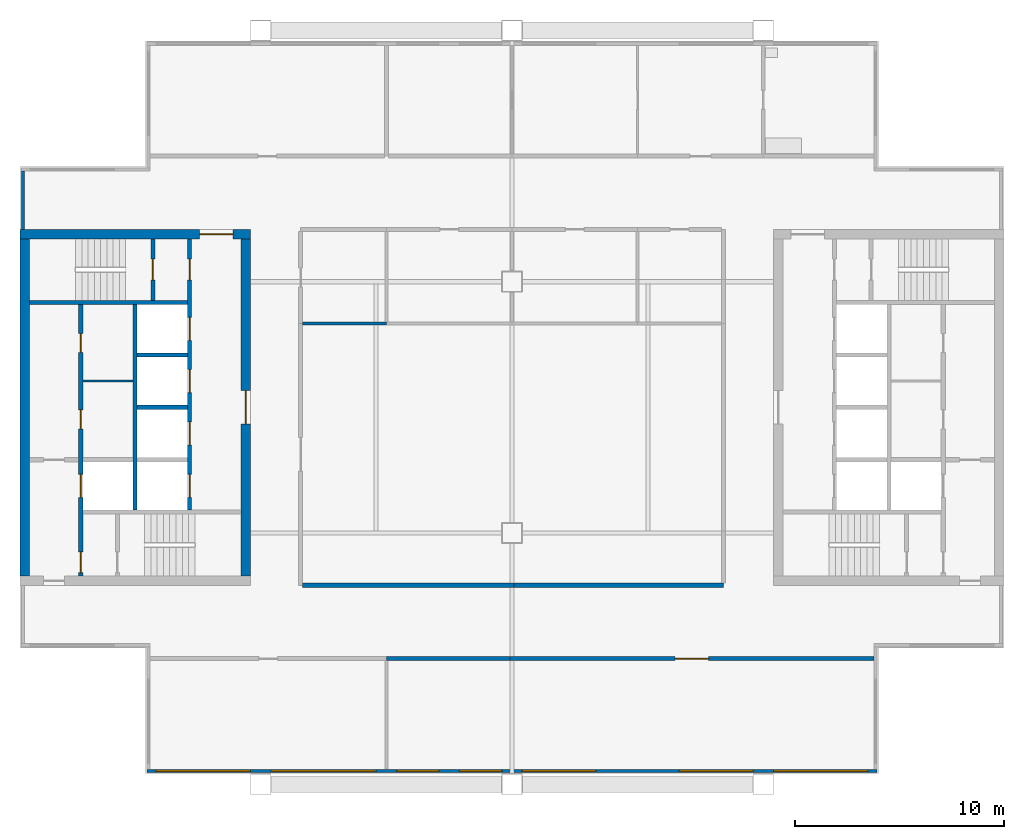
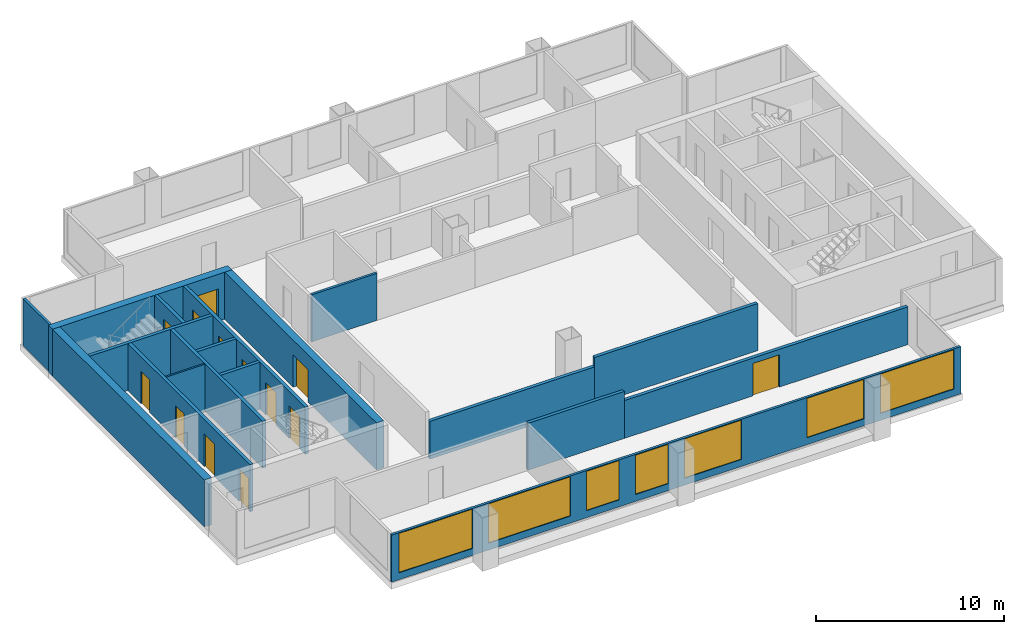
# One storey, part 2 of 7: 18 walls, 13 doors, 7 windows, 20 openings.
"""IFC4 building model written with IfcOpenShell, lengths in metres."""

from ifc_helpers import new_model, si_unit, direction, frame, frame_2d, origin, place, context, subcontext, project, spatial, rectangle, extrude, material, layer, layer_set, type_object, element, fill, save


model = new_model("IFC4")

# Units and contexts
model_context = context("Model", 3, precision=1e-05, world=origin(), true_north=direction((0.0, 1.0)))
body_context = subcontext(model_context, "Body", "Model", "MODEL_VIEW")
ifc_project = project(units=[si_unit("LENGTHUNIT", "METRE"), si_unit("AREAUNIT", "SQUARE_METRE"), si_unit("VOLUMEUNIT", "CUBIC_METRE"), si_unit("PLANEANGLEUNIT", "RADIAN"), si_unit("MASSUNIT", "GRAM", prefix="KILO")], contexts=[model_context])

# Site, building, storey
site_placement = place(None, origin())
site = spatial("IfcSite", under=ifc_project, at=site_placement, CompositionType="ELEMENT")
building_placement = place(site_placement, origin())
building = spatial("IfcBuilding", under=site, at=building_placement, Name="Kitamizu Gate Tower and Museum", CompositionType="ELEMENT")
storey_placement = place(building_placement, frame((0.0, 0.0, 245.550048828125)))
storey = spatial("IfcBuildingStorey", under=building, at=storey_placement, Name="L66", CompositionType="ELEMENT", Elevation=245.550048828125)

# Wall, opening, door
ifc_material_1 = material(Name="Concrete Fc42", Category="concrete")
ifc_layer_1 = layer(ifc_material_1, 0.449951171875)
ifc_layer_set_1 = layer_set([ifc_layer_1], Name="Concrete Fc42")
wall_type_1 = type_object("IfcWallType", Name="Core wall 450", PredefinedType="SHEAR", material=ifc_layer_set_1)
wall_1_placement = place(storey_placement, frame((12.5, 38.27490234375, 0.0), z_axis=(0.0, 0.0, 1.0), x_axis=(1.0, 0.0, 0.0)))
wall_1 = element("IfcWall", 1, at=wall_1_placement, inside=storey, type_object=wall_type_1, Name="Core wall WN", PredefinedType="SHEAR", context=body_context, shape_type="SweptSolid", body=[
    extrude(rectangle(XDim=11.0, YDim=0.449951171875, at=frame_2d((5.5, 0.0))), origin(), (0.0, 0.0, 1.0), 3.050048828125),
])
opening_1_placement = place(wall_1_placement, frame((8.574951171875, 0.0, 0.0)))
opening_1 = element("IfcOpeningElement", 2, at=opening_1_placement, cuts=wall_1, Name="Opening L66-019", PredefinedType="OPENING", context=body_context, shape_type="SweptSolid", body=[
    extrude(rectangle(XDim=1.60009765625, YDim=2.10009765625, at=frame_2d((0.800048828125, 1.050048828125))), frame((0.0, 0.23486328125, 0.0), z_axis=(0.0, -1.0, 0.0), x_axis=(1.0, 0.0, 0.0)), (0.0, 0.0, 1.0), 0.469970703125),
])
ifc_material_2 = material(Name="Timber door set", Category="wood")
door_type_1 = type_object("IfcDoorType", Name="Entrance door 1600", OperationType="DOUBLE_DOOR_SINGLE_SWING", PredefinedType="DOOR", material=ifc_material_2)
door_1_placement = place(opening_1_placement, origin())
door_1 = element("IfcDoor", 3, at=door_1_placement, inside=storey, type_object=door_type_1, Name="Lobby door L66-019", OperationType="DOUBLE_DOOR_SINGLE_SWING", OverallHeight=2.10009765625, OverallWidth=1.60009765625, PredefinedType="DOOR", context=body_context, shape_type="SweptSolid", body=[
    extrude(rectangle(XDim=1.60009765625, YDim=2.10009765625, at=frame_2d((0.800048828125, 1.050048828125))), frame((0.0, 0.02490234375, 0.0), z_axis=(0.0, -1.0, 0.0), x_axis=(1.0, 0.0, 0.0)), (0.0, 0.0, 1.0), 0.050048828125),
])
fill(opening_1, door_1)

# Wall
wall_2_placement = place(storey_placement, frame((12.72509765625, 21.949951171875, 0.0), z_axis=(0.0, 0.0, 1.0), x_axis=(0.0, 1.0, 0.0)))
element("IfcWall", 4, at=wall_2_placement, inside=storey, type_object=wall_type_1, Name="Core wall WOUT", PredefinedType="SHEAR", context=body_context, shape_type="SweptSolid", body=[
    extrude(rectangle(XDim=16.10009765625, YDim=0.449951171875, at=frame_2d((8.050048828125, 0.0))), origin(), (0.0, 0.0, 1.0), 3.050048828125),
])

# Wall, opening, door
wall_3_placement = place(storey_placement, frame((23.27490234375, 21.949951171875, 0.0), z_axis=(0.0, 0.0, 1.0), x_axis=(0.0, 1.0, 0.0)))
wall_3 = element("IfcWall", 5, at=wall_3_placement, inside=storey, type_object=wall_type_1, Name="Core wall WARC", PredefinedType="SHEAR", context=body_context, shape_type="SweptSolid", body=[
    extrude(rectangle(XDim=16.10009765625, YDim=0.449951171875, at=frame_2d((8.050048828125, 0.0))), origin(), (0.0, 0.0, 1.0), 3.050048828125),
])
opening_2_placement = place(wall_3_placement, frame((7.25, 0.0, 0.0)))
opening_2 = element("IfcOpeningElement", 6, at=opening_2_placement, cuts=wall_3, Name="Opening L66-020", PredefinedType="OPENING", context=body_context, shape_type="SweptSolid", body=[
    extrude(rectangle(XDim=1.60009765625, YDim=2.10009765625, at=frame_2d((0.800048828125, 1.050048828125))), frame((0.0, 0.23486328125, 0.0), z_axis=(0.0, -1.0, 0.0), x_axis=(1.0, 0.0, 0.0)), (0.0, 0.0, 1.0), 0.469970703125),
])
door_2_placement = place(opening_2_placement, origin())
door_2 = element("IfcDoor", 7, at=door_2_placement, inside=storey, type_object=door_type_1, Name="Lobby door L66-020", OperationType="DOUBLE_DOOR_SINGLE_SWING", OverallHeight=2.10009765625, OverallWidth=1.60009765625, PredefinedType="DOOR", context=body_context, shape_type="SweptSolid", body=[
    extrude(rectangle(XDim=1.60009765625, YDim=2.10009765625, at=frame_2d((0.800048828125, 1.050048828125))), frame((0.0, 0.02490234375, 0.0), z_axis=(0.0, -1.0, 0.0), x_axis=(1.0, 0.0, 0.0)), (0.0, 0.0, 1.0), 0.050048828125),
])
fill(opening_2, door_2)

# Walls
ifc_material_3 = material(Name="Gypsum board on galvanised stud")
ifc_layer_2 = layer(ifc_material_3, 0.10009765625)
ifc_layer_set_2 = layer_set([ifc_layer_2], Name="Gypsum board on galvanised stud")
wall_type_2 = type_object("IfcWallType", Name="Partition 100", PredefinedType="PARTITIONING", material=ifc_layer_set_2)
wall_4_placement = place(storey_placement, frame((15.5, 31.25, 0.0), z_axis=(0.0, 0.0, 1.0), x_axis=(1.0, 0.0, 0.0)))
element("IfcWall", 8, at=wall_4_placement, inside=storey, type_object=wall_type_2, Name="Partition WPF1", PredefinedType="PARTITIONING", context=body_context, shape_type="SweptSolid", body=[
    extrude(rectangle(XDim=2.39990234375, YDim=0.10009765625, at=frame_2d((1.199951171875, 0.0))), origin(), (0.0, 0.0, 1.0), 3.050048828125),
])
ifc_material_4 = material(Name="Gypsum board on galvanised stud")
ifc_layer_3 = layer(ifc_material_4, 0.14990234375)
ifc_layer_set_3 = layer_set([ifc_layer_3], Name="Gypsum board on galvanised stud")
wall_type_3 = type_object("IfcWallType", Name="Partition 150", PredefinedType="PARTITIONING", material=ifc_layer_set_3)
wall_5_placement = place(storey_placement, frame((30.0, 34.0, 0.0), z_axis=(0.0, 0.0, 1.0), x_axis=(-1.0, 0.0, 0.0)))
element("IfcWall", 9, at=wall_5_placement, inside=storey, type_object=wall_type_3, Name="Partition L66-026", PredefinedType="PARTITIONING", context=body_context, shape_type="SweptSolid", body=[
    extrude(rectangle(XDim=4.0, YDim=0.14990234375, at=frame_2d((2.0, 0.0))), origin(), (0.0, 0.0, 1.0), 3.050048828125),
])

# Wall, opening, door
ifc_material_5 = material(Name="Gypsum board on galvanised stud")
ifc_layer_4 = layer(ifc_material_5, 0.199951171875)
ifc_layer_set_4 = layer_set([ifc_layer_4], Name="Gypsum board on galvanised stud")
wall_type_4 = type_object("IfcWallType", Name="Partition 200", PredefinedType="PARTITIONING", material=ifc_layer_set_4)
wall_6_placement = place(storey_placement, frame((53.280029296875, 18.0, 0.0), z_axis=(0.0, 0.0, 1.0), x_axis=(-1.0, 0.0, 0.0)))
wall_6 = element("IfcWall", 10, at=wall_6_placement, inside=storey, type_object=wall_type_4, Name="Partition L66-012", PredefinedType="PARTITIONING", context=body_context, shape_type="SweptSolid", body=[
    extrude(rectangle(XDim=17.380126953125, YDim=0.199951171875, at=frame_2d((8.68994140625, 0.0))), origin(), (0.0, 0.0, 1.0), 2.449951171875),
])
opening_3_placement = place(wall_6_placement, frame((7.889892578125, 0.0, 0.0)))
opening_3 = element("IfcOpeningElement", 11, at=opening_3_placement, cuts=wall_6, Name="Opening L66-007", PredefinedType="OPENING", context=body_context, shape_type="SweptSolid", body=[
    extrude(rectangle(XDim=1.60009765625, YDim=2.10009765625, at=frame_2d((0.800048828125, 1.050048828125))), frame((0.0, 0.10986328125, 0.0), z_axis=(0.0, -1.0, 0.0), x_axis=(1.0, 0.0, 0.0)), (0.0, 0.0, 1.0), 0.219970703125),
])
ifc_material_6 = material(Name="Timber door set", Category="wood")
door_type_2 = type_object("IfcDoorType", Name="Double door 1600", OperationType="DOUBLE_DOOR_SINGLE_SWING", PredefinedType="DOOR", material=ifc_material_6)
door_3_placement = place(opening_3_placement, origin())
door_3 = element("IfcDoor", 12, at=door_3_placement, inside=storey, type_object=door_type_2, Name="Double door L66-007", OperationType="DOUBLE_DOOR_SINGLE_SWING", OverallHeight=2.10009765625, OverallWidth=1.60009765625, PredefinedType="DOOR", context=body_context, shape_type="SweptSolid", body=[
    extrude(rectangle(XDim=1.60009765625, YDim=2.10009765625, at=frame_2d((0.800048828125, 1.050048828125))), frame((0.0, 0.02490234375, 0.0), z_axis=(0.0, -1.0, 0.0), x_axis=(1.0, 0.0, 0.0)), (0.0, 0.0, 1.0), 0.050048828125),
])
fill(opening_3, door_3)

# Walls
wall_7_placement = place(storey_placement, frame((35.89990234375, 18.0, 0.0), z_axis=(0.0, 0.0, 1.0), x_axis=(-1.0, 0.0, 0.0)))
element("IfcWall", 13, at=wall_7_placement, inside=storey, type_object=wall_type_4, Name="Partition L66-013", PredefinedType="PARTITIONING", context=body_context, shape_type="SweptSolid", body=[
    extrude(rectangle(XDim=5.89990234375, YDim=0.199951171875, at=frame_2d((2.949951171875, 0.0))), origin(), (0.0, 0.0, 1.0), 3.050048828125),
])
wall_8_placement = place(storey_placement, frame((26.0, 21.5, 0.0), z_axis=(0.0, 0.0, 1.0), x_axis=(1.0, 0.0, 0.0)))
element("IfcWall", 14, at=wall_8_placement, inside=storey, type_object=wall_type_4, Name="Partition L66-015", PredefinedType="PARTITIONING", context=body_context, shape_type="SweptSolid", body=[
    extrude(rectangle(XDim=10.10009765625, YDim=0.199951171875, at=frame_2d((5.050048828125, 0.0))), origin(), (0.0, 0.0, 1.0), 2.449951171875),
])
wall_9_placement = place(storey_placement, frame((36.10009765625, 21.5, 0.0), z_axis=(0.0, 0.0, 1.0), x_axis=(1.0, 0.0, 0.0)))
element("IfcWall", 15, at=wall_9_placement, inside=storey, type_object=wall_type_4, Name="Partition L66-016", PredefinedType="PARTITIONING", context=body_context, shape_type="SweptSolid", body=[
    extrude(rectangle(XDim=10.0, YDim=0.199951171875, at=frame_2d((5.0, 0.0))), origin(), (0.0, 0.0, 1.0), 3.050048828125),
])

# Wall, openings, doors
ifc_material_7 = material(Name="Concrete Fc42", Category="concrete")
ifc_layer_5 = layer(ifc_material_7, 0.199951171875)
ifc_layer_set_5 = layer_set([ifc_layer_5], Name="Concrete Fc42")
wall_type_5 = type_object("IfcWallType", Name="Shaft wall 200", PredefinedType="SOLIDWALL", material=ifc_layer_set_5)
wall_10_placement = place(storey_placement, frame((15.39990234375, 21.949951171875, 0.0), z_axis=(0.0, 0.0, 1.0), x_axis=(0.0, 1.0, 0.0)))
wall_10 = element("IfcWall", 16, at=wall_10_placement, inside=storey, type_object=wall_type_5, Name="Shaft wall WWEST", PredefinedType="SOLIDWALL", context=body_context, shape_type="SweptSolid", body=[
    extrude(rectangle(XDim=12.949951171875, YDim=0.199951171875, at=frame_2d((6.47509765625, 0.0))), origin(), (0.0, 0.0, 1.0), 3.050048828125),
])
opening_4_placement = place(wall_10_placement, frame((3.75, 0.0, 0.0)))
opening_4 = element("IfcOpeningElement", 17, at=opening_4_placement, cuts=wall_10, Name="Opening LD", PredefinedType="OPENING", context=body_context, shape_type="SweptSolid", body=[
    extrude(rectangle(XDim=1.10009765625, YDim=2.10009765625, at=frame_2d((0.550048828125, 1.050048828125))), frame((0.0, 0.10986328125, 0.0), z_axis=(0.0, -1.0, 0.0), x_axis=(1.0, 0.0, 0.0)), (0.0, 0.0, 1.0), 0.219970703125),
])
opening_5_placement = place(wall_10_placement, frame((0.14990234375, 0.0, 0.0)))
opening_5 = element("IfcOpeningElement", 18, at=opening_5_placement, cuts=wall_10, Name="Opening L66-014", PredefinedType="OPENING", context=body_context, shape_type="SweptSolid", body=[
    extrude(rectangle(XDim=1.0, YDim=2.10009765625, at=frame_2d((0.5, 1.050048828125))), frame((0.0, 0.10986328125, 0.0), z_axis=(0.0, -1.0, 0.0), x_axis=(1.0, 0.0, 0.0)), (0.0, 0.0, 1.0), 0.219970703125),
])
opening_6_placement = place(wall_10_placement, frame((7.02490234375, 0.0, 0.0)))
opening_6 = element("IfcOpeningElement", 19, at=opening_6_placement, cuts=wall_10, Name="Opening L66-021", PredefinedType="OPENING", context=body_context, shape_type="SweptSolid", body=[
    extrude(rectangle(XDim=0.89990234375, YDim=2.10009765625, at=frame_2d((0.449951171875, 1.050048828125))), frame((0.0, 0.10986328125, 0.0), z_axis=(0.0, -1.0, 0.0), x_axis=(1.0, 0.0, 0.0)), (0.0, 0.0, 1.0), 0.219970703125),
])
opening_7_placement = place(wall_10_placement, frame((10.675048828125, 0.0, 0.0)))
opening_7 = element("IfcOpeningElement", 20, at=opening_7_placement, cuts=wall_10, Name="Opening L66-022", PredefinedType="OPENING", context=body_context, shape_type="SweptSolid", body=[
    extrude(rectangle(XDim=0.89990234375, YDim=2.10009765625, at=frame_2d((0.449951171875, 1.050048828125))), frame((0.0, 0.10986328125, 0.0), z_axis=(0.0, -1.0, 0.0), x_axis=(1.0, 0.0, 0.0)), (0.0, 0.0, 1.0), 0.219970703125),
])
ifc_material_8 = material(Name="Hollow metal door set")
door_type_3 = type_object("IfcDoorType", Name="Fire door 1000", OperationType="NOTDEFINED", PredefinedType="DOOR", material=ifc_material_8)
door_4_placement = place(opening_5_placement, frame((1.0, 0.0, 0.0), x_axis=(-1.0, 0.0, 0.0)))
door_4 = element("IfcDoor", 21, at=door_4_placement, inside=storey, type_object=door_type_3, Name="Stair lobby door L66-014", OperationType="SINGLE_SWING_LEFT", OverallHeight=2.10009765625, OverallWidth=1.0, PredefinedType="DOOR", context=body_context, shape_type="SweptSolid", body=[
    extrude(rectangle(XDim=1.0, YDim=2.10009765625, at=frame_2d((0.5, 1.050048828125))), frame((0.0, 0.02490234375, 0.0), z_axis=(0.0, -1.0, 0.0), x_axis=(1.0, 0.0, 0.0)), (0.0, 0.0, 1.0), 0.050048828125),
])
fill(opening_5, door_4)
ifc_material_9 = material(Name="Hollow metal door set")
door_type_4 = type_object("IfcDoorType", Name="Landing door 1100", OperationType="SLIDING_TO_LEFT", PredefinedType="DOOR", material=ifc_material_9)
door_5_placement = place(opening_4_placement, origin())
door_5 = element("IfcDoor", 22, at=door_5_placement, inside=storey, type_object=door_type_4, Name="Landing door WFF1", OperationType="SLIDING_TO_LEFT", OverallHeight=2.10009765625, OverallWidth=1.10009765625, PredefinedType="DOOR", context=body_context, shape_type="SweptSolid", body=[
    extrude(rectangle(XDim=1.10009765625, YDim=2.10009765625, at=frame_2d((0.550048828125, 1.050048828125))), frame((0.0, 0.02490234375, 0.0), z_axis=(0.0, -1.0, 0.0), x_axis=(1.0, 0.0, 0.0)), (0.0, 0.0, 1.0), 0.050048828125),
])
fill(opening_4, door_5)
ifc_material_10 = material(Name="Timber door set", Category="wood")
door_type_5 = type_object("IfcDoorType", Name="Service door 900", OperationType="NOTDEFINED", PredefinedType="DOOR", material=ifc_material_10)
door_6_placement = place(opening_6_placement, frame((0.89990234375, 0.0, 0.0), x_axis=(-1.0, 0.0, 0.0)))
door_6 = element("IfcDoor", 23, at=door_6_placement, inside=storey, type_object=door_type_5, Name="Service door L66-021", OperationType="SINGLE_SWING_LEFT", OverallHeight=2.10009765625, OverallWidth=0.89990234375, PredefinedType="DOOR", context=body_context, shape_type="SweptSolid", body=[
    extrude(rectangle(XDim=0.89990234375, YDim=2.10009765625, at=frame_2d((0.449951171875, 1.050048828125))), frame((0.0, 0.02490234375, 0.0), z_axis=(0.0, -1.0, 0.0), x_axis=(1.0, 0.0, 0.0)), (0.0, 0.0, 1.0), 0.050048828125),
])
fill(opening_6, door_6)
door_7_placement = place(opening_7_placement, frame((0.89990234375, 0.0, 0.0), x_axis=(-1.0, 0.0, 0.0)))
door_7 = element("IfcDoor", 24, at=door_7_placement, inside=storey, type_object=door_type_5, Name="Service door L66-022", OperationType="SINGLE_SWING_RIGHT", OverallHeight=2.10009765625, OverallWidth=0.89990234375, PredefinedType="DOOR", context=body_context, shape_type="SweptSolid", body=[
    extrude(rectangle(XDim=0.89990234375, YDim=2.10009765625, at=frame_2d((0.449951171875, 1.050048828125))), frame((0.0, 0.02490234375, 0.0), z_axis=(0.0, -1.0, 0.0), x_axis=(1.0, 0.0, 0.0)), (0.0, 0.0, 1.0), 0.050048828125),
])
fill(opening_7, door_7)

wall_11_placement = place(storey_placement, frame((20.60009765625, 25.10009765625, 0.0), z_axis=(0.0, 0.0, 1.0), x_axis=(0.0, 1.0, 0.0)))
wall_11 = element("IfcWall", 25, at=wall_11_placement, inside=storey, type_object=wall_type_5, Name="Shaft wall WEAST", PredefinedType="SOLIDWALL", context=body_context, shape_type="SweptSolid", body=[
    extrude(rectangle(XDim=12.949951171875, YDim=0.199951171875, at=frame_2d((6.47509765625, 0.0))), origin(), (0.0, 0.0, 1.0), 3.050048828125),
])
opening_8_placement = place(wall_11_placement, frame((0.60009765625, 0.0, 0.0)))
opening_8 = element("IfcOpeningElement", 26, at=opening_8_placement, cuts=wall_11, Name="Opening LD", PredefinedType="OPENING", context=body_context, shape_type="SweptSolid", body=[
    extrude(rectangle(XDim=1.10009765625, YDim=2.10009765625, at=frame_2d((0.550048828125, 1.050048828125))), frame((0.0, 0.10986328125, 0.0), z_axis=(0.0, -1.0, 0.0), x_axis=(1.0, 0.0, 0.0)), (0.0, 0.0, 1.0), 0.219970703125),
])
opening_9_placement = place(wall_11_placement, frame((3.10009765625, 0.0, 0.0)))
opening_9 = element("IfcOpeningElement", 27, at=opening_9_placement, cuts=wall_11, Name="Opening LD", PredefinedType="OPENING", context=body_context, shape_type="SweptSolid", body=[
    extrude(rectangle(XDim=1.10009765625, YDim=2.10009765625, at=frame_2d((0.550048828125, 1.050048828125))), frame((0.0, 0.10986328125, 0.0), z_axis=(0.0, -1.0, 0.0), x_axis=(1.0, 0.0, 0.0)), (0.0, 0.0, 1.0), 0.219970703125),
])
opening_10_placement = place(wall_11_placement, frame((5.60009765625, 0.0, 0.0)))
opening_10 = element("IfcOpeningElement", 28, at=opening_10_placement, cuts=wall_11, Name="Opening LD", PredefinedType="OPENING", context=body_context, shape_type="SweptSolid", body=[
    extrude(rectangle(XDim=1.10009765625, YDim=2.10009765625, at=frame_2d((0.550048828125, 1.050048828125))), frame((0.0, 0.10986328125, 0.0), z_axis=(0.0, -1.0, 0.0), x_axis=(1.0, 0.0, 0.0)), (0.0, 0.0, 1.0), 0.219970703125),
])
opening_11_placement = place(wall_11_placement, frame((8.10009765625, 0.0, 0.0)))
opening_11 = element("IfcOpeningElement", 29, at=opening_11_placement, cuts=wall_11, Name="Opening LD", PredefinedType="OPENING", context=body_context, shape_type="SweptSolid", body=[
    extrude(rectangle(XDim=1.10009765625, YDim=2.10009765625, at=frame_2d((0.550048828125, 1.050048828125))), frame((0.0, 0.10986328125, 0.0), z_axis=(0.0, -1.0, 0.0), x_axis=(1.0, 0.0, 0.0)), (0.0, 0.0, 1.0), 0.219970703125),
])
opening_12_placement = place(wall_11_placement, frame((10.97509765625, 0.0, 0.0)))
opening_12 = element("IfcOpeningElement", 30, at=opening_12_placement, cuts=wall_11, Name="Opening L66-015", PredefinedType="OPENING", context=body_context, shape_type="SweptSolid", body=[
    extrude(rectangle(XDim=1.0, YDim=2.10009765625, at=frame_2d((0.5, 1.050048828125))), frame((0.0, 0.10986328125, 0.0), z_axis=(0.0, -1.0, 0.0), x_axis=(1.0, 0.0, 0.0)), (0.0, 0.0, 1.0), 0.219970703125),
])
door_8_placement = place(opening_12_placement, origin())
door_8 = element("IfcDoor", 31, at=door_8_placement, inside=storey, type_object=door_type_3, Name="Stair lobby door L66-015", OperationType="SINGLE_SWING_RIGHT", OverallHeight=2.10009765625, OverallWidth=1.0, PredefinedType="DOOR", context=body_context, shape_type="SweptSolid", body=[
    extrude(rectangle(XDim=1.0, YDim=2.10009765625, at=frame_2d((0.5, 1.050048828125))), frame((0.0, 0.02490234375, 0.0), z_axis=(0.0, -1.0, 0.0), x_axis=(1.0, 0.0, 0.0)), (0.0, 0.0, 1.0), 0.050048828125),
])
fill(opening_12, door_8)
door_9_placement = place(opening_8_placement, origin())
door_9 = element("IfcDoor", 32, at=door_9_placement, inside=storey, type_object=door_type_4, Name="Landing door WSV1", OperationType="SLIDING_TO_LEFT", OverallHeight=2.10009765625, OverallWidth=1.10009765625, PredefinedType="DOOR", context=body_context, shape_type="SweptSolid", body=[
    extrude(rectangle(XDim=1.10009765625, YDim=2.10009765625, at=frame_2d((0.550048828125, 1.050048828125))), frame((0.0, 0.02490234375, 0.0), z_axis=(0.0, -1.0, 0.0), x_axis=(1.0, 0.0, 0.0)), (0.0, 0.0, 1.0), 0.050048828125),
])
fill(opening_8, door_9)
door_10_placement = place(opening_9_placement, origin())
door_10 = element("IfcDoor", 33, at=door_10_placement, inside=storey, type_object=door_type_4, Name="Landing door WH1", OperationType="SLIDING_TO_LEFT", OverallHeight=2.10009765625, OverallWidth=1.10009765625, PredefinedType="DOOR", context=body_context, shape_type="SweptSolid", body=[
    extrude(rectangle(XDim=1.10009765625, YDim=2.10009765625, at=frame_2d((0.550048828125, 1.050048828125))), frame((0.0, 0.02490234375, 0.0), z_axis=(0.0, -1.0, 0.0), x_axis=(1.0, 0.0, 0.0)), (0.0, 0.0, 1.0), 0.050048828125),
])
fill(opening_9, door_10)
door_11_placement = place(opening_10_placement, origin())
door_11 = element("IfcDoor", 34, at=door_11_placement, inside=storey, type_object=door_type_4, Name="Landing door WH2", OperationType="SLIDING_TO_LEFT", OverallHeight=2.10009765625, OverallWidth=1.10009765625, PredefinedType="DOOR", context=body_context, shape_type="SweptSolid", body=[
    extrude(rectangle(XDim=1.10009765625, YDim=2.10009765625, at=frame_2d((0.550048828125, 1.050048828125))), frame((0.0, 0.02490234375, 0.0), z_axis=(0.0, -1.0, 0.0), x_axis=(1.0, 0.0, 0.0)), (0.0, 0.0, 1.0), 0.050048828125),
])
fill(opening_10, door_11)
door_12_placement = place(opening_11_placement, origin())
door_12 = element("IfcDoor", 35, at=door_12_placement, inside=storey, type_object=door_type_4, Name="Landing door WH3", OperationType="SLIDING_TO_LEFT", OverallHeight=2.10009765625, OverallWidth=1.10009765625, PredefinedType="DOOR", context=body_context, shape_type="SweptSolid", body=[
    extrude(rectangle(XDim=1.10009765625, YDim=2.10009765625, at=frame_2d((0.550048828125, 1.050048828125))), frame((0.0, 0.02490234375, 0.0), z_axis=(0.0, -1.0, 0.0), x_axis=(1.0, 0.0, 0.0)), (0.0, 0.0, 1.0), 0.050048828125),
])
fill(opening_11, door_12)

# Walls
wall_12_placement = place(storey_placement, frame((18.0, 25.10009765625, 0.0), z_axis=(0.0, 0.0, 1.0), x_axis=(0.0, 1.0, 0.0)))
element("IfcWall", 36, at=wall_12_placement, inside=storey, type_object=wall_type_5, Name="Shaft wall WMID", PredefinedType="SOLIDWALL", context=body_context, shape_type="SweptSolid", body=[
    extrude(rectangle(XDim=9.7998046875, YDim=0.199951171875, at=frame_2d((4.89990234375, 0.0))), origin(), (0.0, 0.0, 1.0), 3.050048828125),
])
wall_13_placement = place(storey_placement, frame((12.949951171875, 35.0, 0.0), z_axis=(0.0, 0.0, 1.0), x_axis=(1.0, 0.0, 0.0)))
element("IfcWall", 37, at=wall_13_placement, inside=storey, type_object=wall_type_5, Name="Shaft wall WNB", PredefinedType="SOLIDWALL", context=body_context, shape_type="SweptSolid", body=[
    extrude(rectangle(XDim=7.550048828125, YDim=0.199951171875, at=frame_2d((3.77490234375, 0.0))), origin(), (0.0, 0.0, 1.0), 3.050048828125),
])

# Wall, opening, door
wall_14_placement = place(storey_placement, frame((18.85009765625, 35.10009765625, 0.0), z_axis=(0.0, 0.0, 1.0), x_axis=(0.0, 1.0, 0.0)))
wall_14 = element("IfcWall", 38, at=wall_14_placement, inside=storey, type_object=wall_type_5, Name="Shaft wall WNZ", PredefinedType="SOLIDWALL", context=body_context, shape_type="SweptSolid", body=[
    extrude(rectangle(XDim=2.949951171875, YDim=0.199951171875, at=frame_2d((1.47509765625, 0.0))), origin(), (0.0, 0.0, 1.0), 3.050048828125),
])
opening_13_placement = place(wall_14_placement, frame((0.97509765625, 0.0, 0.0)))
opening_13 = element("IfcOpeningElement", 39, at=opening_13_placement, cuts=wall_14, Name="Opening L66-016", PredefinedType="OPENING", context=body_context, shape_type="SweptSolid", body=[
    extrude(rectangle(XDim=1.0, YDim=2.10009765625, at=frame_2d((0.5, 1.050048828125))), frame((0.0, 0.10986328125, 0.0), z_axis=(0.0, -1.0, 0.0), x_axis=(1.0, 0.0, 0.0)), (0.0, 0.0, 1.0), 0.219970703125),
])
door_13_placement = place(opening_13_placement, origin())
door_13 = element("IfcDoor", 40, at=door_13_placement, inside=storey, type_object=door_type_3, Name="Stair door L66-016", OperationType="SINGLE_SWING_LEFT", OverallHeight=2.10009765625, OverallWidth=1.0, PredefinedType="DOOR", context=body_context, shape_type="SweptSolid", body=[
    extrude(rectangle(XDim=1.0, YDim=2.10009765625, at=frame_2d((0.5, 1.050048828125))), frame((0.0, 0.02490234375, 0.0), z_axis=(0.0, -1.0, 0.0), x_axis=(1.0, 0.0, 0.0)), (0.0, 0.0, 1.0), 0.050048828125),
])
fill(opening_13, door_13)

# Walls
for number, where, z_axis, x_axis, name in (
    (41, (18.10009765625, 30.0, 0.0), (0.0, 0.0, 1.0), (1.0, 0.0, 0.0), "Shaft wall WDVE1"),
    (42, (18.10009765625, 32.5, 0.0), (0.0, 0.0, 1.0), (1.0, 0.0, 0.0), "Shaft wall WDVE2"),
):
    element("IfcWall", number, at=place(storey_placement, frame(where, z_axis=z_axis, x_axis=x_axis)), inside=storey, type_object=wall_type_5, Name=name, PredefinedType="SOLIDWALL", context=body_context, shape_type="SweptSolid", body=[
        extrude(rectangle(XDim=2.39990234375, YDim=0.199951171875, at=frame_2d((1.199951171875, 0.0))), origin(), (0.0, 0.0, 1.0), 3.050048828125),
    ])

# Wall, openings, windows
ifc_material_11 = material(Name="Bronze anodised aluminium frame with insulated spandrel and tinted glass", Category="aluminium")
ifc_layer_6 = layer(ifc_material_11, 0.14990234375)
ifc_layer_set_6 = layer_set([ifc_layer_6], Name="Bronze anodised aluminium frame with insulated spandrel and tinted glass")
wall_type_6 = type_object("IfcWallType", Name="WINDOW WALL 150 BRONZE FRAME EI 30", PredefinedType="ELEMENTEDWALL", material=ifc_layer_set_6)
wall_15_placement = place(storey_placement, frame((18.56005859375, 12.635009765625, 0.0), z_axis=(0.0, 0.0, 1.0), x_axis=(1.0, 0.0, 0.0)))
wall_15 = element("IfcWall", 43, at=wall_15_placement, inside=storey, type_object=wall_type_6, Name="Window wall south L66", PredefinedType="ELEMENTEDWALL", context=body_context, shape_type="SweptSolid", body=[
    extrude(rectangle(XDim=34.8798828125, YDim=0.14990234375, at=frame_2d((17.43994140625, 0.0))), origin(), (0.0, 0.0, 1.0), 3.050048828125),
])
opening_14_placement = place(wall_15_placement, frame((0.43994140625, 0.0, 0.449951171875)))
opening_14 = element("IfcOpeningElement", 44, at=opening_14_placement, cuts=wall_15, Name="Opening W15", PredefinedType="OPENING", context=body_context, shape_type="SweptSolid", body=[
    extrude(rectangle(XDim=4.5, YDim=2.550048828125, at=frame_2d((2.25, 1.27490234375))), frame((0.0, 0.0849609375, 0.0), z_axis=(0.0, -1.0, 0.0), x_axis=(1.0, 0.0, 0.0)), (0.0, 0.0, 1.0), 0.169921875),
])
opening_15_placement = place(wall_15_placement, frame((5.93994140625, 0.0, 0.449951171875)))
opening_15 = element("IfcOpeningElement", 45, at=opening_15_placement, cuts=wall_15, Name="Opening W1", PredefinedType="OPENING", context=body_context, shape_type="SweptSolid", body=[
    extrude(rectangle(XDim=5.0, YDim=2.550048828125, at=frame_2d((2.5, 1.27490234375))), frame((0.0, 0.0849609375, 0.0), z_axis=(0.0, -1.0, 0.0), x_axis=(1.0, 0.0, 0.0)), (0.0, 0.0, 1.0), 0.169921875),
])
opening_16_placement = place(wall_15_placement, frame((11.93994140625, 0.0, 0.449951171875)))
opening_16 = element("IfcOpeningElement", 46, at=opening_16_placement, cuts=wall_15, Name="Opening W2", PredefinedType="OPENING", context=body_context, shape_type="SweptSolid", body=[
    extrude(rectangle(XDim=2.0, YDim=2.550048828125, at=frame_2d((1.0, 1.27490234375))), frame((0.0, 0.0849609375, 0.0), z_axis=(0.0, -1.0, 0.0), x_axis=(1.0, 0.0, 0.0)), (0.0, 0.0, 1.0), 0.169921875),
])
opening_17_placement = place(wall_15_placement, frame((14.93994140625, 0.0, 0.449951171875)))
opening_17 = element("IfcOpeningElement", 47, at=opening_17_placement, cuts=wall_15, Name="Opening W2", PredefinedType="OPENING", context=body_context, shape_type="SweptSolid", body=[
    extrude(rectangle(XDim=2.0, YDim=2.550048828125, at=frame_2d((1.0, 1.27490234375))), frame((0.0, 0.0849609375, 0.0), z_axis=(0.0, -1.0, 0.0), x_axis=(1.0, 0.0, 0.0)), (0.0, 0.0, 1.0), 0.169921875),
])
opening_18_placement = place(wall_15_placement, frame((17.93994140625, 0.0, 0.449951171875)))
opening_18 = element("IfcOpeningElement", 48, at=opening_18_placement, cuts=wall_15, Name="Opening W35", PredefinedType="OPENING", context=body_context, shape_type="SweptSolid", body=[
    extrude(rectangle(XDim=3.5, YDim=2.550048828125, at=frame_2d((1.75, 1.27490234375))), frame((0.0, 0.0849609375, 0.0), z_axis=(0.0, -1.0, 0.0), x_axis=(1.0, 0.0, 0.0)), (0.0, 0.0, 1.0), 0.169921875),
])
opening_19_placement = place(wall_15_placement, frame((25.43994140625, 0.0, 0.449951171875)))
opening_19 = element("IfcOpeningElement", 49, at=opening_19_placement, cuts=wall_15, Name="Opening W35", PredefinedType="OPENING", context=body_context, shape_type="SweptSolid", body=[
    extrude(rectangle(XDim=3.5, YDim=2.550048828125, at=frame_2d((1.75, 1.27490234375))), frame((0.0, 0.0849609375, 0.0), z_axis=(0.0, -1.0, 0.0), x_axis=(1.0, 0.0, 0.0)), (0.0, 0.0, 1.0), 0.169921875),
])
opening_20_placement = place(wall_15_placement, frame((29.93994140625, 0.0, 0.449951171875)))
opening_20 = element("IfcOpeningElement", 50, at=opening_20_placement, cuts=wall_15, Name="Opening W15", PredefinedType="OPENING", context=body_context, shape_type="SweptSolid", body=[
    extrude(rectangle(XDim=4.5, YDim=2.550048828125, at=frame_2d((2.25, 1.27490234375))), frame((0.0, 0.0849609375, 0.0), z_axis=(0.0, -1.0, 0.0), x_axis=(1.0, 0.0, 0.0)), (0.0, 0.0, 1.0), 0.169921875),
])
ifc_material_12 = material(Name="Bronze anodised aluminium frame, tinted triple glazing", Category="aluminium")
window_type_1 = type_object("IfcWindowType", Name="WINDOW 2000 x 2550 SILL 450", PartitioningType="SINGLE_PANEL", PredefinedType="WINDOW", material=ifc_material_12)
window_1_placement = place(opening_16_placement, origin())
window_1 = element("IfcWindow", 51, at=window_1_placement, inside=storey, type_object=window_type_1, Name="Window W2 L66", OverallHeight=2.550048828125, OverallWidth=2.0, PartitioningType="SINGLE_PANEL", PredefinedType="WINDOW", context=body_context, shape_type="SweptSolid", body=[
    extrude(rectangle(XDim=2.0, YDim=2.550048828125, at=frame_2d((1.0, 1.27490234375))), frame((0.0, 0.030029296875, 0.0), z_axis=(0.0, -1.0, 0.0), x_axis=(1.0, 0.0, 0.0)), (0.0, 0.0, 1.0), 0.06005859375),
])
fill(opening_16, window_1)
window_2_placement = place(opening_17_placement, origin())
window_2 = element("IfcWindow", 52, at=window_2_placement, inside=storey, type_object=window_type_1, Name="Window W2 L66", OverallHeight=2.550048828125, OverallWidth=2.0, PartitioningType="SINGLE_PANEL", PredefinedType="WINDOW", context=body_context, shape_type="SweptSolid", body=[
    extrude(rectangle(XDim=2.0, YDim=2.550048828125, at=frame_2d((1.0, 1.27490234375))), frame((0.0, 0.030029296875, 0.0), z_axis=(0.0, -1.0, 0.0), x_axis=(1.0, 0.0, 0.0)), (0.0, 0.0, 1.0), 0.06005859375),
])
fill(opening_17, window_2)
ifc_material_13 = material(Name="Bronze anodised aluminium frame, tinted triple glazing", Category="aluminium")
window_type_2 = type_object("IfcWindowType", Name="WINDOW 3500 x 2550 SILL 450", PartitioningType="SINGLE_PANEL", PredefinedType="WINDOW", material=ifc_material_13)
window_3_placement = place(opening_18_placement, origin())
window_3 = element("IfcWindow", 53, at=window_3_placement, inside=storey, type_object=window_type_2, Name="Window W35 L66", OverallHeight=2.550048828125, OverallWidth=3.5, PartitioningType="SINGLE_PANEL", PredefinedType="WINDOW", context=body_context, shape_type="SweptSolid", body=[
    extrude(rectangle(XDim=3.5, YDim=2.550048828125, at=frame_2d((1.75, 1.27490234375))), frame((0.0, 0.030029296875, 0.0), z_axis=(0.0, -1.0, 0.0), x_axis=(1.0, 0.0, 0.0)), (0.0, 0.0, 1.0), 0.06005859375),
])
fill(opening_18, window_3)
window_4_placement = place(opening_19_placement, origin())
window_4 = element("IfcWindow", 54, at=window_4_placement, inside=storey, type_object=window_type_2, Name="Window W35 L66", OverallHeight=2.550048828125, OverallWidth=3.5, PartitioningType="SINGLE_PANEL", PredefinedType="WINDOW", context=body_context, shape_type="SweptSolid", body=[
    extrude(rectangle(XDim=3.5, YDim=2.550048828125, at=frame_2d((1.75, 1.27490234375))), frame((0.0, 0.030029296875, 0.0), z_axis=(0.0, -1.0, 0.0), x_axis=(1.0, 0.0, 0.0)), (0.0, 0.0, 1.0), 0.06005859375),
])
fill(opening_19, window_4)
ifc_material_14 = material(Name="Bronze anodised aluminium frame, tinted triple glazing", Category="aluminium")
window_type_3 = type_object("IfcWindowType", Name="WINDOW 4500 x 2550 SILL 450", PartitioningType="SINGLE_PANEL", PredefinedType="WINDOW", material=ifc_material_14)
window_5_placement = place(opening_14_placement, origin())
window_5 = element("IfcWindow", 55, at=window_5_placement, inside=storey, type_object=window_type_3, Name="Window W15 L66", OverallHeight=2.550048828125, OverallWidth=4.5, PartitioningType="SINGLE_PANEL", PredefinedType="WINDOW", context=body_context, shape_type="SweptSolid", body=[
    extrude(rectangle(XDim=4.5, YDim=2.550048828125, at=frame_2d((2.25, 1.27490234375))), frame((0.0, 0.030029296875, 0.0), z_axis=(0.0, -1.0, 0.0), x_axis=(1.0, 0.0, 0.0)), (0.0, 0.0, 1.0), 0.06005859375),
])
fill(opening_14, window_5)
window_6_placement = place(opening_20_placement, origin())
window_6 = element("IfcWindow", 56, at=window_6_placement, inside=storey, type_object=window_type_3, Name="Window W15 L66", OverallHeight=2.550048828125, OverallWidth=4.5, PartitioningType="SINGLE_PANEL", PredefinedType="WINDOW", context=body_context, shape_type="SweptSolid", body=[
    extrude(rectangle(XDim=4.5, YDim=2.550048828125, at=frame_2d((2.25, 1.27490234375))), frame((0.0, 0.030029296875, 0.0), z_axis=(0.0, -1.0, 0.0), x_axis=(1.0, 0.0, 0.0)), (0.0, 0.0, 1.0), 0.06005859375),
])
fill(opening_20, window_6)
ifc_material_15 = material(Name="Bronze anodised aluminium frame, tinted triple glazing", Category="aluminium")
window_type_4 = type_object("IfcWindowType", Name="WINDOW 5000 x 2550 SILL 450", PartitioningType="SINGLE_PANEL", PredefinedType="WINDOW", material=ifc_material_15)
window_7_placement = place(opening_15_placement, origin())
window_7 = element("IfcWindow", 57, at=window_7_placement, inside=storey, type_object=window_type_4, Name="Window W1 L66", OverallHeight=2.550048828125, OverallWidth=5.0, PartitioningType="SINGLE_PANEL", PredefinedType="WINDOW", context=body_context, shape_type="SweptSolid", body=[
    extrude(rectangle(XDim=5.0, YDim=2.550048828125, at=frame_2d((2.5, 1.27490234375))), frame((0.0, 0.030029296875, 0.0), z_axis=(0.0, -1.0, 0.0), x_axis=(1.0, 0.0, 0.0)), (0.0, 0.0, 1.0), 0.06005859375),
])
fill(opening_15, window_7)

# Wall
wall_16_placement = place(storey_placement, frame((12.635009765625, 38.5, 0.0), z_axis=(0.0, 0.0, 1.0), x_axis=(0.0, 1.0, 0.0)))
element("IfcWall", 58, at=wall_16_placement, inside=storey, type_object=wall_type_6, Name="Window wall west L66", PredefinedType="ELEMENTEDWALL", context=body_context, shape_type="SweptSolid", body=[
    extrude(rectangle(XDim=2.7900390625, YDim=0.14990234375, at=frame_2d((1.39501953125, 0.0))), origin(), (0.0, 0.0, 1.0), 3.050048828125),
])

save(model, "model.ifc")
